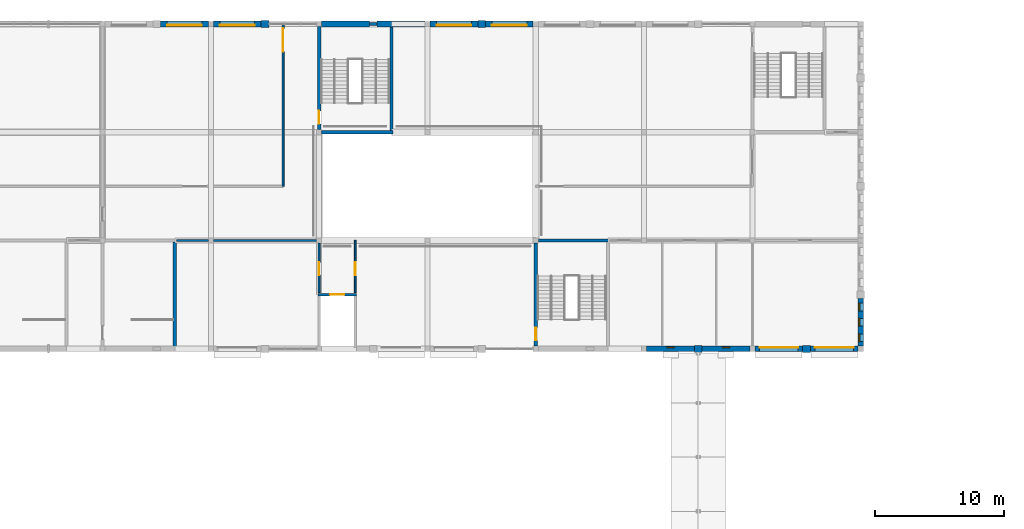
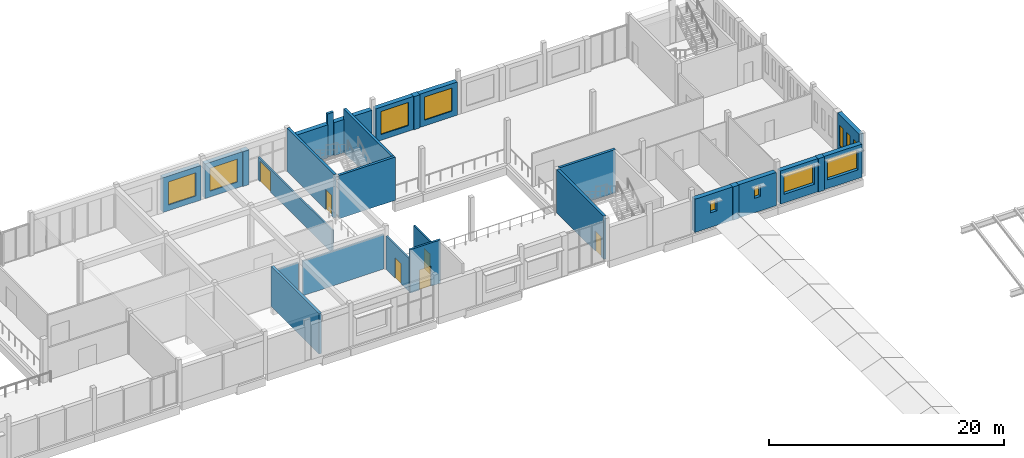
# One storey, part 29 of 38: 28 walls, 11 windows, 6 doors, 17 openings.
"""IFC4 building model written with IfcOpenShell, lengths in metres."""

from ifc_helpers import new_model, si_unit, direction, frame, frame_2d, origin, place, context, subcontext, project, spatial, rectangle, extrude, material, layer, layer_set, type_object, element, fill, save


model = new_model("IFC4")

# Units and contexts
model_context = context("Model", 3, precision=1e-05, world=origin(), true_north=direction((0.0, 1.0)))
body_context = subcontext(model_context, "Body", "Model", "MODEL_VIEW")
ifc_project = project(units=[si_unit("LENGTHUNIT", "METRE"), si_unit("AREAUNIT", "SQUARE_METRE"), si_unit("VOLUMEUNIT", "CUBIC_METRE"), si_unit("PLANEANGLEUNIT", "RADIAN"), si_unit("MASSUNIT", "GRAM", prefix="KILO")], contexts=[model_context])

# Site, building, storey
site_placement = place(None, origin())
site = spatial("IfcSite", under=ifc_project, at=site_placement, CompositionType="ELEMENT")
building_placement = place(site_placement, origin())
building = spatial("IfcBuilding", under=site, at=building_placement, Name="Fescue Hill Polytechnic", CompositionType="ELEMENT")
storey_placement = place(building_placement, frame((0.0, 0.0, 18.0)))
storey = spatial("IfcBuildingStorey", under=building, at=storey_placement, Name="L04", CompositionType="ELEMENT", Elevation=18.0)

# Walls
ifc_material_1 = material(Name="Clay brick masonry", Category="masonry")
ifc_layer_1 = layer(ifc_material_1, 0.550048828125)
ifc_layer_set_1 = layer_set([ifc_layer_1], Name="Clay brick masonry")
wall_type_1 = type_object("IfcWallType", Name="Brick pier 600x550", PredefinedType="SOLIDWALL", material=ifc_layer_set_1)
wall_1_placement = place(storey_placement, frame((104.699951171875, 109.199951171875, 0.0), z_axis=(0.0, 0.0, 1.0), x_axis=(1.0, 0.0, 0.0)))
element("IfcWall", 1, at=wall_1_placement, inside=storey, type_object=wall_type_1, Name="PR-L04-V4b-6", PredefinedType="SOLIDWALL", context=body_context, shape_type="SweptSolid", body=[
    extrude(rectangle(XDim=0.60009765625, YDim=0.550048828125, at=frame_2d((0.300048828125, 0.0))), origin(), (0.0, 0.0, 1.0), 3.449951171875),
])
wall_2_placement = place(storey_placement, frame((113.10009765625, 109.199951171875, 0.0), z_axis=(0.0, 0.0, 1.0), x_axis=(1.0, 0.0, 0.0)))
element("IfcWall", 2, at=wall_2_placement, inside=storey, type_object=wall_type_1, Name="PR-L04-V4b-7", PredefinedType="SOLIDWALL", context=body_context, shape_type="SweptSolid", body=[
    extrude(rectangle(XDim=0.599853515625, YDim=0.550048828125, at=frame_2d((0.2998046875, 0.0))), origin(), (0.0, 0.0, 1.0), 3.449951171875),
])
wall_3_placement = place(storey_placement, frame((88.5, 134.39990234375, 0.0), z_axis=(0.0, 0.0, 1.0), x_axis=(-1.0, 0.0, 0.0)))
element("IfcWall", 3, at=wall_3_placement, inside=storey, type_object=wall_type_1, Name="PR-L04-V4b-14", PredefinedType="SOLIDWALL", context=body_context, shape_type="SweptSolid", body=[
    extrude(rectangle(XDim=0.60009765625, YDim=0.550048828125, at=frame_2d((0.300048828125, 0.0))), origin(), (0.0, 0.0, 1.0), 3.449951171875),
])
wall_4_placement = place(storey_placement, frame((71.699951171875, 134.39990234375, 0.0), z_axis=(0.0, 0.0, 1.0), x_axis=(-1.0, 0.0, 0.0)))
element("IfcWall", 4, at=wall_4_placement, inside=storey, type_object=wall_type_1, Name="PR-L04-V4b-16", PredefinedType="SOLIDWALL", context=body_context, shape_type="SweptSolid", body=[
    extrude(rectangle(XDim=0.599853515625, YDim=0.550048828125, at=frame_2d((0.2998046875, 0.0))), origin(), (0.0, 0.0, 1.0), 3.60009765625),
])
ifc_material_2 = material(Name="Concrete 40 MPa", Category="concrete")
ifc_layer_2 = layer(ifc_material_2, 0.25)
ifc_layer_set_2 = layer_set([ifc_layer_2], Name="Concrete 40 MPa")
wall_type_2 = type_object("IfcWallType", Name="Core wall 250", PredefinedType="SHEAR", material=ifc_layer_set_2)
wall_5_placement = place(storey_placement, frame((64.39990234375, 109.324951171875, 0.0), z_axis=(0.0, 0.0, 1.0), x_axis=(0.0, 1.0, 0.0)))
element("IfcWall", 5, at=wall_5_placement, inside=storey, type_object=wall_type_2, Name="CW-L04-ST-V4b-1-41", PredefinedType="SHEAR", context=body_context, shape_type="SweptSolid", body=[
    extrude(rectangle(XDim=8.150146484375, YDim=0.25, at=frame_2d((4.0751953125, 0.0))), origin(), (0.0, 0.0, 1.0), 4.199951171875),
])
wall_6_placement = place(storey_placement, frame((92.60009765625, 117.60009765625, 0.0), z_axis=(0.0, 0.0, 1.0), x_axis=(1.0, 0.0, 0.0)))
element("IfcWall", 6, at=wall_6_placement, inside=storey, type_object=wall_type_2, Name="CW-L04-ST-V4b-3-21", PredefinedType="SHEAR", context=body_context, shape_type="SweptSolid", body=[
    extrude(rectangle(XDim=5.52490234375, YDim=0.25, at=frame_2d((2.762451171875, 0.0))), origin(), (0.0, 0.0, 1.0), 4.5),
])

# Wall, opening, door
wall_7_placement = place(storey_placement, frame((92.39990234375, 109.39990234375, 0.0), z_axis=(0.0, 0.0, 1.0), x_axis=(0.0, 1.0, 0.0)))
wall_7 = element("IfcWall", 7, at=wall_7_placement, inside=storey, type_object=wall_type_2, Name="CW-L04-ST-V4b-3-31", PredefinedType="SHEAR", context=body_context, shape_type="SweptSolid", body=[
    extrude(rectangle(XDim=8.0, YDim=0.25, at=frame_2d((4.0, 0.0))), origin(), (0.0, 0.0, 1.0), 4.5),
])
opening_1_placement = place(wall_7_placement, frame((0.449951171875, 0.0, 0.0)))
opening_1 = element("IfcOpeningElement", 8, at=opening_1_placement, cuts=wall_7, Name="Opening D4045", PredefinedType="OPENING", context=body_context, shape_type="SweptSolid", body=[
    extrude(rectangle(XDim=1.0, YDim=2.10009765625, at=frame_2d((0.5, 1.050048828125))), frame((0.0, 0.135009765625, 0.0), z_axis=(0.0, -1.0, 0.0), x_axis=(1.0, 0.0, 0.0)), (0.0, 0.0, 1.0), 0.27001953125),
])
ifc_material_3 = material(Name="Steel fire door", Category="steel")
door_type_1 = type_object("IfcDoorType", Name="Door single swing 1000x2100 stair fire rated", OperationType="NOTDEFINED", PredefinedType="DOOR", material=ifc_material_3)
door_1_placement = place(opening_1_placement, origin())
door_1 = element("IfcDoor", 9, at=door_1_placement, inside=storey, type_object=door_type_1, Name="L04 ST-V4b-3 stair door", OperationType="SINGLE_SWING_LEFT", OverallHeight=2.10009765625, OverallWidth=1.0, PredefinedType="DOOR", context=body_context, shape_type="SweptSolid", body=[
    extrude(rectangle(XDim=1.0, YDim=2.10009765625, at=frame_2d((0.5, 1.050048828125))), frame((0.0, 0.02490234375, 0.0), z_axis=(0.0, -1.0, 0.0), x_axis=(1.0, 0.0, 0.0)), (0.0, 0.0, 1.0), 0.050048828125),
])
fill(opening_1, door_1)

# Wall
wall_8_placement = place(storey_placement, frame((75.800048828125, 126.0, 0.0), z_axis=(0.0, 0.0, 1.0), x_axis=(1.0, 0.0, 0.0)))
element("IfcWall", 10, at=wall_8_placement, inside=storey, type_object=wall_type_2, Name="CW-L04-ST-V4b-4-11", PredefinedType="SHEAR", context=body_context, shape_type="SweptSolid", body=[
    extrude(rectangle(XDim=5.52490234375, YDim=0.25, at=frame_2d((2.762451171875, 0.0))), origin(), (0.0, 0.0, 1.0), 4.5),
])

# Wall, opening, door
wall_9_placement = place(storey_placement, frame((75.60009765625, 126.199951171875, 0.0), z_axis=(0.0, 0.0, 1.0), x_axis=(0.0, 1.0, 0.0)))
wall_9 = element("IfcWall", 11, at=wall_9_placement, inside=storey, type_object=wall_type_2, Name="CW-L04-ST-V4b-4-31", PredefinedType="SHEAR", context=body_context, shape_type="SweptSolid", body=[
    extrude(rectangle(XDim=8.0, YDim=0.25, at=frame_2d((4.0, 0.0))), origin(), (0.0, 0.0, 1.0), 4.5),
])
opening_2_placement = place(wall_9_placement, frame((0.449951171875, 0.0, 0.0)))
opening_2 = element("IfcOpeningElement", 12, at=opening_2_placement, cuts=wall_9, Name="Opening D4046", PredefinedType="OPENING", context=body_context, shape_type="SweptSolid", body=[
    extrude(rectangle(XDim=1.0, YDim=2.10009765625, at=frame_2d((0.5, 1.050048828125))), frame((0.0, 0.135009765625, 0.0), z_axis=(0.0, -1.0, 0.0), x_axis=(1.0, 0.0, 0.0)), (0.0, 0.0, 1.0), 0.27001953125),
])
door_2_placement = place(opening_2_placement, origin())
door_2 = element("IfcDoor", 13, at=door_2_placement, inside=storey, type_object=door_type_1, Name="L04 ST-V4b-4 stair door", OperationType="SINGLE_SWING_RIGHT", OverallHeight=2.10009765625, OverallWidth=1.0, PredefinedType="DOOR", context=body_context, shape_type="SweptSolid", body=[
    extrude(rectangle(XDim=1.0, YDim=2.10009765625, at=frame_2d((0.5, 1.050048828125))), frame((0.0, 0.02490234375, 0.0), z_axis=(0.0, -1.0, 0.0), x_axis=(1.0, 0.0, 0.0)), (0.0, 0.0, 1.0), 0.050048828125),
])
fill(opening_2, door_2)

# Walls
wall_10_placement = place(storey_placement, frame((81.199951171875, 126.125, 0.0), z_axis=(0.0, 0.0, 1.0), x_axis=(0.0, 1.0, 0.0)))
element("IfcWall", 14, at=wall_10_placement, inside=storey, type_object=wall_type_2, Name="CW-L04-ST-V4b-4-41", PredefinedType="SHEAR", context=body_context, shape_type="SweptSolid", body=[
    extrude(rectangle(XDim=8.14990234375, YDim=0.25, at=frame_2d((4.074951171875, 0.0))), origin(), (0.0, 0.0, 1.0), 4.5),
])
wall_11_placement = place(storey_placement, frame((79.5, 134.39990234375, 0.0), z_axis=(0.0, 0.0, 1.0), x_axis=(1.0, 0.0, 0.0)))
element("IfcWall", 15, at=wall_11_placement, inside=storey, type_object=wall_type_2, Name="SCW-L04-ST-V4b-4-n1", PredefinedType="SHEAR", context=body_context, shape_type="SweptSolid", body=[
    extrude(rectangle(XDim=0.60009765625, YDim=0.25, at=frame_2d((0.300048828125, 0.0))), origin(), (0.0, 0.0, 1.0), 4.5),
])
ifc_material_4 = material(Name="Gypsum board partition")
ifc_layer_3 = layer(ifc_material_4, 0.14990234375)
ifc_layer_set_3 = layer_set([ifc_layer_3], Name="Gypsum board partition")
wall_type_3 = type_object("IfcWallType", Name="Corridor wall 150 EI 45", PredefinedType="PARTITIONING", material=ifc_layer_set_3)
wall_12_placement = place(storey_placement, frame((64.550048828125, 117.60009765625, 0.0), z_axis=(0.0, 0.0, 1.0), x_axis=(1.0, 0.0, 0.0)))
element("IfcWall", 16, at=wall_12_placement, inside=storey, type_object=wall_type_3, Name="IW-L04-025", PredefinedType="PARTITIONING", context=body_context, shape_type="SweptSolid", body=[
    extrude(rectangle(XDim=2.449951171875, YDim=0.14990234375, at=frame_2d((1.22509765625, 0.0))), origin(), (0.0, 0.0, 1.0), 3.60009765625),
])
wall_13_placement = place(storey_placement, frame((67.39990234375, 117.60009765625, 0.0), z_axis=(0.0, 0.0, 1.0), x_axis=(1.0, 0.0, 0.0)))
element("IfcWall", 17, at=wall_13_placement, inside=storey, type_object=wall_type_3, Name="IW-L04-026", PredefinedType="PARTITIONING", context=body_context, shape_type="SweptSolid", body=[
    extrude(rectangle(XDim=8.0, YDim=0.14990234375, at=frame_2d((4.0, 0.0))), origin(), (0.0, 0.0, 1.0), 3.60009765625),
])

# Wall, opening, door
wall_14_placement = place(storey_placement, frame((72.800048828125, 121.800048828125, 0.0), z_axis=(0.0, 0.0, 1.0), x_axis=(0.0, 1.0, 0.0)))
wall_14 = element("IfcWall", 18, at=wall_14_placement, inside=storey, type_object=wall_type_3, Name="IW-L04-057", PredefinedType="PARTITIONING", context=body_context, shape_type="SweptSolid", body=[
    extrude(rectangle(XDim=12.599853515625, YDim=0.14990234375, at=frame_2d((6.2998046875, 0.0))), origin(), (0.0, 0.0, 1.0), 2.3701171875),
])
opening_3_placement = place(wall_14_placement, frame((10.449951171875, 0.0, 0.0)))
opening_3 = element("IfcOpeningElement", 19, at=opening_3_placement, cuts=wall_14, Name="Opening D4033", PredefinedType="OPENING", context=body_context, shape_type="SweptSolid", body=[
    extrude(rectangle(XDim=1.800048828125, YDim=2.10009765625, at=frame_2d((0.89990234375, 1.050048828125))), frame((0.0, 0.0849609375, 0.0), z_axis=(0.0, -1.0, 0.0), x_axis=(1.0, 0.0, 0.0)), (0.0, 0.0, 1.0), 0.169921875),
])
ifc_material_5 = material(Name="Timber", Category="wood")
door_type_2 = type_object("IfcDoorType", Name="Door double swing 1800x2100 FD30S", OperationType="DOUBLE_DOOR_SINGLE_SWING", PredefinedType="DOOR", material=ifc_material_5)
door_3_placement = place(opening_3_placement, origin())
door_3 = element("IfcDoor", 20, at=door_3_placement, inside=storey, type_object=door_type_2, Name="Door D4033", OperationType="DOUBLE_DOOR_SINGLE_SWING", OverallHeight=2.10009765625, OverallWidth=1.800048828125, PredefinedType="DOOR", context=body_context, shape_type="SweptSolid", body=[
    extrude(rectangle(XDim=1.800048828125, YDim=2.10009765625, at=frame_2d((0.89990234375, 1.050048828125))), frame((0.0, 0.02490234375, 0.0), z_axis=(0.0, -1.0, 0.0), x_axis=(1.0, 0.0, 0.0)), (0.0, 0.0, 1.0), 0.050048828125),
])
fill(opening_3, door_3)

# Wall, opening, window
ifc_layer_4 = layer(ifc_material_2, 0.449951171875)
ifc_layer_set_4 = layer_set([ifc_layer_4], Name="Concrete 40 MPa")
wall_type_4 = type_object("IfcWallType", Name="Exterior wall board-marked concrete 450", PredefinedType="SOLIDWALL", material=ifc_layer_set_4)
wall_15_placement = place(storey_placement, frame((101.0, 109.199951171875, 0.0), z_axis=(0.0, 0.0, 1.0), x_axis=(1.0, 0.0, 0.0)))
wall_15 = element("IfcWall", 21, at=wall_15_placement, inside=storey, type_object=wall_type_4, Name="EW-L04-V4b-11", PredefinedType="SOLIDWALL", context=body_context, shape_type="SweptSolid", body=[
    extrude(rectangle(XDim=3.699951171875, YDim=0.449951171875, at=frame_2d((1.85009765625, 0.0))), origin(), (0.0, 0.0, 1.0), 3.449951171875),
])
opening_4_placement = place(wall_15_placement, frame((1.550048828125, 0.0, 1.5)))
opening_4 = element("IfcOpeningElement", 22, at=opening_4_placement, cuts=wall_15, Name="Opening W11", PredefinedType="OPENING", context=body_context, shape_type="SweptSolid", body=[
    extrude(rectangle(XDim=0.60009765625, YDim=1.199951171875, at=frame_2d((0.300048828125, 0.60009765625))), frame((0.0, 0.23486328125, 0.0), z_axis=(0.0, -1.0, 0.0), x_axis=(1.0, 0.0, 0.0)), (0.0, 0.0, 1.0), 0.469970703125),
])
ifc_material_6 = material(Name="Powder-coated aluminium and glass", Category="aluminium")
window_type_1 = type_object("IfcWindowType", Name="Window WC high-level 600x1200", PartitioningType="SINGLE_PANEL", PredefinedType="WINDOW", material=ifc_material_6)
window_1_placement = place(opening_4_placement, origin())
window_1 = element("IfcWindow", 23, at=window_1_placement, inside=storey, type_object=window_type_1, Name="WN-L04-V4b-4", OverallHeight=1.199951171875, OverallWidth=0.60009765625, PartitioningType="SINGLE_PANEL", PredefinedType="WINDOW", context=body_context, shape_type="SweptSolid", body=[
    extrude(rectangle(XDim=0.60009765625, YDim=1.199951171875, at=frame_2d((0.300048828125, 0.60009765625))), frame((0.0, 0.135009765625, 0.0), z_axis=(0.0, -1.0, 0.0), x_axis=(1.0, 0.0, 0.0)), (0.0, 0.0, 1.0), 0.06005859375),
])
fill(opening_4, window_1)

wall_16_placement = place(storey_placement, frame((105.300048828125, 109.199951171875, 0.0), z_axis=(0.0, 0.0, 1.0), x_axis=(1.0, 0.0, 0.0)))
wall_16 = element("IfcWall", 24, at=wall_16_placement, inside=storey, type_object=wall_type_4, Name="EW-L04-V4b-12", PredefinedType="SOLIDWALL", context=body_context, shape_type="SweptSolid", body=[
    extrude(rectangle(XDim=3.699951171875, YDim=0.449951171875, at=frame_2d((1.85009765625, 0.0))), origin(), (0.0, 0.0, 1.0), 3.449951171875),
])
opening_5_placement = place(wall_16_placement, frame((1.550048828125, 0.0, 1.5)))
opening_5 = element("IfcOpeningElement", 25, at=opening_5_placement, cuts=wall_16, Name="Opening W11", PredefinedType="OPENING", context=body_context, shape_type="SweptSolid", body=[
    extrude(rectangle(XDim=0.60009765625, YDim=1.199951171875, at=frame_2d((0.300048828125, 0.60009765625))), frame((0.0, 0.23486328125, 0.0), z_axis=(0.0, -1.0, 0.0), x_axis=(1.0, 0.0, 0.0)), (0.0, 0.0, 1.0), 0.469970703125),
])
window_2_placement = place(opening_5_placement, origin())
window_2 = element("IfcWindow", 26, at=window_2_placement, inside=storey, type_object=window_type_1, Name="WN-L04-V4b-5", OverallHeight=1.199951171875, OverallWidth=0.60009765625, PartitioningType="SINGLE_PANEL", PredefinedType="WINDOW", context=body_context, shape_type="SweptSolid", body=[
    extrude(rectangle(XDim=0.60009765625, YDim=1.199951171875, at=frame_2d((0.300048828125, 0.60009765625))), frame((0.0, 0.135009765625, 0.0), z_axis=(0.0, -1.0, 0.0), x_axis=(1.0, 0.0, 0.0)), (0.0, 0.0, 1.0), 0.06005859375),
])
fill(opening_5, window_2)

wall_17_placement = place(storey_placement, frame((109.39990234375, 109.199951171875, 0.0), z_axis=(0.0, 0.0, 1.0), x_axis=(1.0, 0.0, 0.0)))
wall_17 = element("IfcWall", 27, at=wall_17_placement, inside=storey, type_object=wall_type_4, Name="EW-L04-V4b-13", PredefinedType="SOLIDWALL", context=body_context, shape_type="SweptSolid", body=[
    extrude(rectangle(XDim=3.7001953125, YDim=0.449951171875, at=frame_2d((1.85009765625, 0.0))), origin(), (0.0, 0.0, 1.0), 3.449951171875),
])
opening_6_placement = place(wall_17_placement, frame((0.35009765625, 0.0, 0.89990234375)))
opening_6 = element("IfcOpeningElement", 28, at=opening_6_placement, cuts=wall_17, Name="Opening W5", PredefinedType="OPENING", context=body_context, shape_type="SweptSolid", body=[
    extrude(rectangle(XDim=3.0, YDim=2.10009765625, at=frame_2d((1.5, 1.050048828125))), frame((0.0, 0.23486328125, 0.0), z_axis=(0.0, -1.0, 0.0), x_axis=(1.0, 0.0, 0.0)), (0.0, 0.0, 1.0), 0.469970703125),
])
window_type_2 = type_object("IfcWindowType", Name="Window studio large 3000x2100", PartitioningType="SINGLE_PANEL", PredefinedType="WINDOW", material=ifc_material_6)
window_3_placement = place(opening_6_placement, origin())
window_3 = element("IfcWindow", 29, at=window_3_placement, inside=storey, type_object=window_type_2, Name="WN-L04-V4b-6", OverallHeight=2.10009765625, OverallWidth=3.0, PartitioningType="SINGLE_PANEL", PredefinedType="WINDOW", context=body_context, shape_type="SweptSolid", body=[
    extrude(rectangle(XDim=3.0, YDim=2.10009765625, at=frame_2d((1.5, 1.050048828125))), frame((0.0, 0.135009765625, 0.0), z_axis=(0.0, -1.0, 0.0), x_axis=(1.0, 0.0, 0.0)), (0.0, 0.0, 1.0), 0.06005859375),
])
fill(opening_6, window_3)

wall_18_placement = place(storey_placement, frame((113.699951171875, 109.199951171875, 0.0), z_axis=(0.0, 0.0, 1.0), x_axis=(1.0, 0.0, 0.0)))
wall_18 = element("IfcWall", 30, at=wall_18_placement, inside=storey, type_object=wall_type_4, Name="EW-L04-V4b-14", PredefinedType="SOLIDWALL", context=body_context, shape_type="SweptSolid", body=[
    extrude(rectangle(XDim=3.699951171875, YDim=0.449951171875, at=frame_2d((1.85009765625, 0.0))), origin(), (0.0, 0.0, 1.0), 3.449951171875),
])
opening_7_placement = place(wall_18_placement, frame((0.35009765625, 0.0, 0.89990234375)))
opening_7 = element("IfcOpeningElement", 31, at=opening_7_placement, cuts=wall_18, Name="Opening W5", PredefinedType="OPENING", context=body_context, shape_type="SweptSolid", body=[
    extrude(rectangle(XDim=3.0, YDim=2.10009765625, at=frame_2d((1.5, 1.050048828125))), frame((0.0, 0.23486328125, 0.0), z_axis=(0.0, -1.0, 0.0), x_axis=(1.0, 0.0, 0.0)), (0.0, 0.0, 1.0), 0.469970703125),
])
window_4_placement = place(opening_7_placement, origin())
window_4 = element("IfcWindow", 32, at=window_4_placement, inside=storey, type_object=window_type_2, Name="WN-L04-V4b-7", OverallHeight=2.10009765625, OverallWidth=3.0, PartitioningType="SINGLE_PANEL", PredefinedType="WINDOW", context=body_context, shape_type="SweptSolid", body=[
    extrude(rectangle(XDim=3.0, YDim=2.10009765625, at=frame_2d((1.5, 1.050048828125))), frame((0.0, 0.135009765625, 0.0), z_axis=(0.0, -1.0, 0.0), x_axis=(1.0, 0.0, 0.0)), (0.0, 0.0, 1.0), 0.06005859375),
])
fill(opening_7, window_4)

wall_19_placement = place(storey_placement, frame((92.199951171875, 134.39990234375, 0.0), z_axis=(0.0, 0.0, 1.0), x_axis=(-1.0, 0.0, 0.0)))
wall_19 = element("IfcWall", 33, at=wall_19_placement, inside=storey, type_object=wall_type_4, Name="EW-L04-V4b-27", PredefinedType="SOLIDWALL", context=body_context, shape_type="SweptSolid", body=[
    extrude(rectangle(XDim=3.699951171875, YDim=0.449951171875, at=frame_2d((1.85009765625, 0.0))), origin(), (0.0, 0.0, 1.0), 3.449951171875),
])
opening_8_placement = place(wall_19_placement, frame((0.5, 0.0, 0.60009765625)))
opening_8 = element("IfcOpeningElement", 34, at=opening_8_placement, cuts=wall_19, Name="Opening W16R", PredefinedType="OPENING", context=body_context, shape_type="SweptSolid", body=[
    extrude(rectangle(XDim=2.699951171875, YDim=2.39990234375, at=frame_2d((1.35009765625, 1.199951171875))), frame((0.0, 0.23486328125, 0.0), z_axis=(0.0, -1.0, 0.0), x_axis=(1.0, 0.0, 0.0)), (0.0, 0.0, 1.0), 0.469970703125),
])
window_type_3 = type_object("IfcWindowType", Name="Window studio north-light 2700x2400", PartitioningType="TRIPLE_PANEL_VERTICAL", PredefinedType="WINDOW", material=ifc_material_6)
window_5_placement = place(opening_8_placement, origin())
window_5 = element("IfcWindow", 35, at=window_5_placement, inside=storey, type_object=window_type_3, Name="WN-L04-V4b-29", OverallHeight=2.39990234375, OverallWidth=2.699951171875, PartitioningType="SINGLE_PANEL", PredefinedType="WINDOW", context=body_context, shape_type="SweptSolid", body=[
    extrude(rectangle(XDim=2.699951171875, YDim=2.39990234375, at=frame_2d((1.35009765625, 1.199951171875))), frame((0.0, 0.135009765625, 0.0), z_axis=(0.0, -1.0, 0.0), x_axis=(1.0, 0.0, 0.0)), (0.0, 0.0, 1.0), 0.06005859375),
])
fill(opening_8, window_5)

wall_20_placement = place(storey_placement, frame((87.89990234375, 134.39990234375, 0.0), z_axis=(0.0, 0.0, 1.0), x_axis=(-1.0, 0.0, 0.0)))
wall_20 = element("IfcWall", 36, at=wall_20_placement, inside=storey, type_object=wall_type_4, Name="EW-L04-V4b-28", PredefinedType="SOLIDWALL", context=body_context, shape_type="SweptSolid", body=[
    extrude(rectangle(XDim=3.699951171875, YDim=0.449951171875, at=frame_2d((1.85009765625, 0.0))), origin(), (0.0, 0.0, 1.0), 3.449951171875),
])
opening_9_placement = place(wall_20_placement, frame((0.5, 0.0, 0.60009765625)))
opening_9 = element("IfcOpeningElement", 37, at=opening_9_placement, cuts=wall_20, Name="Opening W16R", PredefinedType="OPENING", context=body_context, shape_type="SweptSolid", body=[
    extrude(rectangle(XDim=2.699951171875, YDim=2.39990234375, at=frame_2d((1.35009765625, 1.199951171875))), frame((0.0, 0.23486328125, 0.0), z_axis=(0.0, -1.0, 0.0), x_axis=(1.0, 0.0, 0.0)), (0.0, 0.0, 1.0), 0.469970703125),
])
window_6_placement = place(opening_9_placement, origin())
window_6 = element("IfcWindow", 38, at=window_6_placement, inside=storey, type_object=window_type_3, Name="WN-L04-V4b-30", OverallHeight=2.39990234375, OverallWidth=2.699951171875, PartitioningType="SINGLE_PANEL", PredefinedType="WINDOW", context=body_context, shape_type="SweptSolid", body=[
    extrude(rectangle(XDim=2.699951171875, YDim=2.39990234375, at=frame_2d((1.35009765625, 1.199951171875))), frame((0.0, 0.135009765625, 0.0), z_axis=(0.0, -1.0, 0.0), x_axis=(1.0, 0.0, 0.0)), (0.0, 0.0, 1.0), 0.06005859375),
])
fill(opening_9, window_6)

wall_21_placement = place(storey_placement, frame((71.10009765625, 134.39990234375, 0.0), z_axis=(0.0, 0.0, 1.0), x_axis=(-1.0, 0.0, 0.0)))
wall_21 = element("IfcWall", 39, at=wall_21_placement, inside=storey, type_object=wall_type_4, Name="EW-L04-V4b-32", PredefinedType="SOLIDWALL", context=body_context, shape_type="SweptSolid", body=[
    extrude(rectangle(XDim=3.7001953125, YDim=0.449951171875, at=frame_2d((1.85009765625, 0.0))), origin(), (0.0, 0.0, 1.0), 3.60009765625),
])
opening_10_placement = place(wall_21_placement, frame((0.5, 0.0, 0.60009765625)))
opening_10 = element("IfcOpeningElement", 40, at=opening_10_placement, cuts=wall_21, Name="Opening W16R", PredefinedType="OPENING", context=body_context, shape_type="SweptSolid", body=[
    extrude(rectangle(XDim=2.699951171875, YDim=2.39990234375, at=frame_2d((1.35009765625, 1.199951171875))), frame((0.0, 0.23486328125, 0.0), z_axis=(0.0, -1.0, 0.0), x_axis=(1.0, 0.0, 0.0)), (0.0, 0.0, 1.0), 0.469970703125),
])
window_7_placement = place(opening_10_placement, origin())
window_7 = element("IfcWindow", 41, at=window_7_placement, inside=storey, type_object=window_type_3, Name="WN-L04-V4b-31", OverallHeight=2.39990234375, OverallWidth=2.699951171875, PartitioningType="SINGLE_PANEL", PredefinedType="WINDOW", context=body_context, shape_type="SweptSolid", body=[
    extrude(rectangle(XDim=2.699951171875, YDim=2.39990234375, at=frame_2d((1.35009765625, 1.199951171875))), frame((0.0, 0.135009765625, 0.0), z_axis=(0.0, -1.0, 0.0), x_axis=(1.0, 0.0, 0.0)), (0.0, 0.0, 1.0), 0.06005859375),
])
fill(opening_10, window_7)

wall_22_placement = place(storey_placement, frame((67.0, 134.39990234375, 0.0), z_axis=(0.0, 0.0, 1.0), x_axis=(-1.0, 0.0, 0.0)))
wall_22 = element("IfcWall", 42, at=wall_22_placement, inside=storey, type_object=wall_type_4, Name="EW-L04-V4b-33", PredefinedType="SOLIDWALL", context=body_context, shape_type="SweptSolid", body=[
    extrude(rectangle(XDim=3.699951171875, YDim=0.449951171875, at=frame_2d((1.85009765625, 0.0))), origin(), (0.0, 0.0, 1.0), 3.60009765625),
])
opening_11_placement = place(wall_22_placement, frame((0.5, 0.0, 0.60009765625)))
opening_11 = element("IfcOpeningElement", 43, at=opening_11_placement, cuts=wall_22, Name="Opening W16R", PredefinedType="OPENING", context=body_context, shape_type="SweptSolid", body=[
    extrude(rectangle(XDim=2.699951171875, YDim=2.39990234375, at=frame_2d((1.35009765625, 1.199951171875))), frame((0.0, 0.23486328125, 0.0), z_axis=(0.0, -1.0, 0.0), x_axis=(1.0, 0.0, 0.0)), (0.0, 0.0, 1.0), 0.469970703125),
])
window_8_placement = place(opening_11_placement, origin())
window_8 = element("IfcWindow", 44, at=window_8_placement, inside=storey, type_object=window_type_3, Name="WN-L04-V4b-32", OverallHeight=2.39990234375, OverallWidth=2.699951171875, PartitioningType="SINGLE_PANEL", PredefinedType="WINDOW", context=body_context, shape_type="SweptSolid", body=[
    extrude(rectangle(XDim=2.699951171875, YDim=2.39990234375, at=frame_2d((1.35009765625, 1.199951171875))), frame((0.0, 0.135009765625, 0.0), z_axis=(0.0, -1.0, 0.0), x_axis=(1.0, 0.0, 0.0)), (0.0, 0.0, 1.0), 0.06005859375),
])
fill(opening_11, window_8)

# Walls
ifc_layer_5 = layer(ifc_material_2, 0.449951171875)
ifc_layer_set_5 = layer_set([ifc_layer_5], Name="Concrete 40 MPa")
wall_type_5 = type_object("IfcWallType", Name="Exterior wall board-marked concrete 450 load-bearing", PredefinedType="SOLIDWALL", material=ifc_layer_set_5)
for number, where, z_axis, x_axis, name in (
    (45, (83.800048828125, 134.39990234375, 0.0), (0.0, 0.0, 1.0), (-1.0, 0.0, 0.0), "EW-L04-V4b-29"),
    (46, (79.5, 134.39990234375, 0.0), (0.0, 0.0, 1.0), (-1.0, 0.0, 0.0), "EW-L04-V4b-30"),
):
    element("IfcWall", number, at=place(storey_placement, frame(where, z_axis=z_axis, x_axis=x_axis)), inside=storey, type_object=wall_type_5, Name=name, PredefinedType="SOLIDWALL", context=body_context, shape_type="SweptSolid", body=[
        extrude(rectangle(XDim=3.699951171875, YDim=0.449951171875, at=frame_2d((1.85009765625, 0.0))), origin(), (0.0, 0.0, 1.0), 3.449951171875),
    ])

# Wall, openings, windows
ifc_layer_6 = layer(ifc_material_1, 0.419921875)
ifc_layer_set_6 = layer_set([ifc_layer_6], Name="Clay brick masonry")
wall_type_6 = type_object("IfcWallType", Name="Exterior wall buff-red brick cavity 420", PredefinedType="SOLIDWALL", material=ifc_layer_set_6)
wall_23_placement = place(storey_placement, frame((117.60009765625, 109.39990234375, 0.0), z_axis=(0.0, 0.0, 1.0), x_axis=(0.0, 1.0, 0.0)))
wall_23 = element("IfcWall", 47, at=wall_23_placement, inside=storey, type_object=wall_type_6, Name="EW-L04-V4b-15", PredefinedType="SOLIDWALL", context=body_context, shape_type="SweptSolid", body=[
    extrude(rectangle(XDim=3.7001953125, YDim=0.419921875, at=frame_2d((1.85009765625, 0.0))), origin(), (0.0, 0.0, 1.0), 4.199951171875),
])
opening_12_placement = place(wall_23_placement, frame((0.35009765625, 0.0, 1.0)))
opening_12 = element("IfcOpeningElement", 48, at=opening_12_placement, cuts=wall_23, Name="Opening W6", PredefinedType="OPENING", context=body_context, shape_type="SweptSolid", body=[
    extrude(rectangle(XDim=0.60009765625, YDim=2.10009765625, at=frame_2d((0.300048828125, 1.050048828125))), frame((0.0, 0.219970703125, 0.0), z_axis=(0.0, -1.0, 0.0), x_axis=(1.0, 0.0, 0.0)), (0.0, 0.0, 1.0), 0.43994140625),
])
opening_13_placement = place(wall_23_placement, frame((1.550048828125, 0.0, 1.0)))
opening_13 = element("IfcOpeningElement", 49, at=opening_13_placement, cuts=wall_23, Name="Opening W6", PredefinedType="OPENING", context=body_context, shape_type="SweptSolid", body=[
    extrude(rectangle(XDim=0.60009765625, YDim=2.10009765625, at=frame_2d((0.300048828125, 1.050048828125))), frame((0.0, 0.219970703125, 0.0), z_axis=(0.0, -1.0, 0.0), x_axis=(1.0, 0.0, 0.0)), (0.0, 0.0, 1.0), 0.43994140625),
])
opening_14_placement = place(wall_23_placement, frame((2.75, 0.0, 1.0)))
opening_14 = element("IfcOpeningElement", 50, at=opening_14_placement, cuts=wall_23, Name="Opening W6", PredefinedType="OPENING", context=body_context, shape_type="SweptSolid", body=[
    extrude(rectangle(XDim=0.60009765625, YDim=2.10009765625, at=frame_2d((0.300048828125, 1.050048828125))), frame((0.0, 0.219970703125, 0.0), z_axis=(0.0, -1.0, 0.0), x_axis=(1.0, 0.0, 0.0)), (0.0, 0.0, 1.0), 0.43994140625),
])
window_type_4 = type_object("IfcWindowType", Name="Window slot 600x2100", PartitioningType="SINGLE_PANEL", PredefinedType="WINDOW", material=ifc_material_6)
window_9_placement = place(opening_12_placement, origin())
window_9 = element("IfcWindow", 51, at=window_9_placement, inside=storey, type_object=window_type_4, Name="WN-L04-V4b-8", OverallHeight=2.10009765625, OverallWidth=0.60009765625, PartitioningType="SINGLE_PANEL", PredefinedType="WINDOW", context=body_context, shape_type="SweptSolid", body=[
    extrude(rectangle(XDim=0.60009765625, YDim=2.10009765625, at=frame_2d((0.300048828125, 1.050048828125))), frame((0.0, 0.150146484375, 0.0), z_axis=(0.0, -1.0, 0.0), x_axis=(1.0, 0.0, 0.0)), (0.0, 0.0, 1.0), 0.06005859375),
])
fill(opening_12, window_9)
window_10_placement = place(opening_13_placement, origin())
window_10 = element("IfcWindow", 52, at=window_10_placement, inside=storey, type_object=window_type_4, Name="WN-L04-V4b-9", OverallHeight=2.10009765625, OverallWidth=0.60009765625, PartitioningType="SINGLE_PANEL", PredefinedType="WINDOW", context=body_context, shape_type="SweptSolid", body=[
    extrude(rectangle(XDim=0.60009765625, YDim=2.10009765625, at=frame_2d((0.300048828125, 1.050048828125))), frame((0.0, 0.150146484375, 0.0), z_axis=(0.0, -1.0, 0.0), x_axis=(1.0, 0.0, 0.0)), (0.0, 0.0, 1.0), 0.06005859375),
])
fill(opening_13, window_10)
window_11_placement = place(opening_14_placement, origin())
window_11 = element("IfcWindow", 53, at=window_11_placement, inside=storey, type_object=window_type_4, Name="WN-L04-V4b-10", OverallHeight=2.10009765625, OverallWidth=0.60009765625, PartitioningType="SINGLE_PANEL", PredefinedType="WINDOW", context=body_context, shape_type="SweptSolid", body=[
    extrude(rectangle(XDim=0.60009765625, YDim=2.10009765625, at=frame_2d((0.300048828125, 1.050048828125))), frame((0.0, 0.150146484375, 0.0), z_axis=(0.0, -1.0, 0.0), x_axis=(1.0, 0.0, 0.0)), (0.0, 0.0, 1.0), 0.06005859375),
])
fill(opening_14, window_11)

# Wall, opening, door
ifc_layer_7 = layer(ifc_material_2, 0.199951171875)
ifc_layer_set_7 = layer_set([ifc_layer_7], Name="Concrete 40 MPa")
wall_type_7 = type_object("IfcWallType", Name="Lift shaft wall 200", PredefinedType="SHEAR", material=ifc_layer_set_7)
wall_24_placement = place(storey_placement, frame((75.5, 113.39990234375, 0.0), z_axis=(0.0, 0.0, 1.0), x_axis=(1.0, 0.0, 0.0)))
wall_24 = element("IfcWall", 54, at=wall_24_placement, inside=storey, type_object=wall_type_7, Name="CW-L04-LF-V4b-1-21", PredefinedType="SHEAR", context=body_context, shape_type="SweptSolid", body=[
    extrude(rectangle(XDim=3.0, YDim=0.199951171875, at=frame_2d((1.5, 0.0))), origin(), (0.0, 0.0, 1.0), 4.5),
])
opening_15_placement = place(wall_24_placement, frame((0.949951171875, 0.0, 0.0)))
opening_15 = element("IfcOpeningElement", 55, at=opening_15_placement, cuts=wall_24, Name="Opening LD8-L04", PredefinedType="OPENING", context=body_context, shape_type="SweptSolid", body=[
    extrude(rectangle(XDim=1.10009765625, YDim=2.10009765625, at=frame_2d((0.550048828125, 1.050048828125))), frame((0.0, 0.10986328125, 0.0), z_axis=(0.0, -1.0, 0.0), x_axis=(1.0, 0.0, 0.0)), (0.0, 0.0, 1.0), 0.219970703125),
])
ifc_material_7 = material(Name="Stainless steel", Category="steel")
door_type_3 = type_object("IfcDoorType", Name="Lift landing door sliding 1100x2100", OperationType="SLIDING_TO_LEFT", PredefinedType="DOOR", material=ifc_material_7)
door_4_placement = place(opening_15_placement, origin())
door_4 = element("IfcDoor", 56, at=door_4_placement, inside=storey, type_object=door_type_3, Name="L04 LF-V4b-1 lift landing door", OperationType="SLIDING_TO_LEFT", OverallHeight=2.10009765625, OverallWidth=1.10009765625, PredefinedType="DOOR", context=body_context, shape_type="SweptSolid", body=[
    extrude(rectangle(XDim=1.10009765625, YDim=2.10009765625, at=frame_2d((0.550048828125, 1.050048828125))), frame((0.0, 0.02490234375, 0.0), z_axis=(0.0, -1.0, 0.0), x_axis=(1.0, 0.0, 0.0)), (0.0, 0.0, 1.0), 0.050048828125),
])
fill(opening_15, door_4)

ifc_layer_8 = layer(ifc_material_4, 0.14990234375)
ifc_layer_set_8 = layer_set([ifc_layer_8], Name="Gypsum board partition")
wall_type_8 = type_object("IfcWallType", Name="Lobby wall 150 EI 60", PredefinedType="PARTITIONING", material=ifc_layer_set_8)
wall_25_placement = place(storey_placement, frame((75.60009765625, 113.550048828125, 0.0), z_axis=(0.0, 0.0, 1.0), x_axis=(0.0, 1.0, 0.0)))
wall_25 = element("IfcWall", 57, at=wall_25_placement, inside=storey, type_object=wall_type_8, Name="IW-L04-058", PredefinedType="PARTITIONING", context=body_context, shape_type="SweptSolid", body=[
    extrude(rectangle(XDim=3.849853515625, YDim=0.14990234375, at=frame_2d((1.9248046875, 0.0))), origin(), (0.0, 0.0, 1.0), 3.449951171875),
])
opening_16_placement = place(wall_25_placement, frame((1.35009765625, 0.0, 0.0)))
opening_16 = element("IfcOpeningElement", 58, at=opening_16_placement, cuts=wall_25, Name="Opening D4026", PredefinedType="OPENING", context=body_context, shape_type="SweptSolid", body=[
    extrude(rectangle(XDim=1.0, YDim=2.10009765625, at=frame_2d((0.5, 1.050048828125))), frame((0.0, 0.0849609375, 0.0), z_axis=(0.0, -1.0, 0.0), x_axis=(1.0, 0.0, 0.0)), (0.0, 0.0, 1.0), 0.169921875),
])
ifc_material_8 = material(Name="Steel", Category="steel")
door_type_4 = type_object("IfcDoorType", Name="Door single swing 1000x2100 FD60", OperationType="SINGLE_SWING_LEFT", PredefinedType="DOOR", material=ifc_material_8)
door_5_placement = place(opening_16_placement, origin())
door_5 = element("IfcDoor", 59, at=door_5_placement, inside=storey, type_object=door_type_4, Name="Door D4026", OperationType="SINGLE_SWING_LEFT", OverallHeight=2.10009765625, OverallWidth=1.0, PredefinedType="DOOR", context=body_context, shape_type="SweptSolid", body=[
    extrude(rectangle(XDim=1.0, YDim=2.10009765625, at=frame_2d((0.5, 1.050048828125))), frame((0.0, 0.02490234375, 0.0), z_axis=(0.0, -1.0, 0.0), x_axis=(1.0, 0.0, 0.0)), (0.0, 0.0, 1.0), 0.050048828125),
])
fill(opening_16, door_5)

wall_26_placement = place(storey_placement, frame((78.39990234375, 113.550048828125, 0.0), z_axis=(0.0, 0.0, 1.0), x_axis=(0.0, 1.0, 0.0)))
wall_26 = element("IfcWall", 60, at=wall_26_placement, inside=storey, type_object=wall_type_8, Name="IW-L04-059", PredefinedType="PARTITIONING", context=body_context, shape_type="SweptSolid", body=[
    extrude(rectangle(XDim=4.050048828125, YDim=0.14990234375, at=frame_2d((2.02490234375, 0.0))), origin(), (0.0, 0.0, 1.0), 3.449951171875),
])
opening_17_placement = place(wall_26_placement, frame((1.35009765625, 0.0, 0.0)))
opening_17 = element("IfcOpeningElement", 61, at=opening_17_placement, cuts=wall_26, Name="Opening D4027", PredefinedType="OPENING", context=body_context, shape_type="SweptSolid", body=[
    extrude(rectangle(XDim=1.0, YDim=2.10009765625, at=frame_2d((0.5, 1.050048828125))), frame((0.0, 0.0849609375, 0.0), z_axis=(0.0, -1.0, 0.0), x_axis=(1.0, 0.0, 0.0)), (0.0, 0.0, 1.0), 0.169921875),
])
door_6_placement = place(opening_17_placement, origin())
door_6 = element("IfcDoor", 62, at=door_6_placement, inside=storey, type_object=door_type_4, Name="Door D4027", OperationType="SINGLE_SWING_LEFT", OverallHeight=2.10009765625, OverallWidth=1.0, PredefinedType="DOOR", context=body_context, shape_type="SweptSolid", body=[
    extrude(rectangle(XDim=1.0, YDim=2.10009765625, at=frame_2d((0.5, 1.050048828125))), frame((0.0, 0.02490234375, 0.0), z_axis=(0.0, -1.0, 0.0), x_axis=(1.0, 0.0, 0.0)), (0.0, 0.0, 1.0), 0.050048828125),
])
fill(opening_17, door_6)

save(model, "model.ifc")
